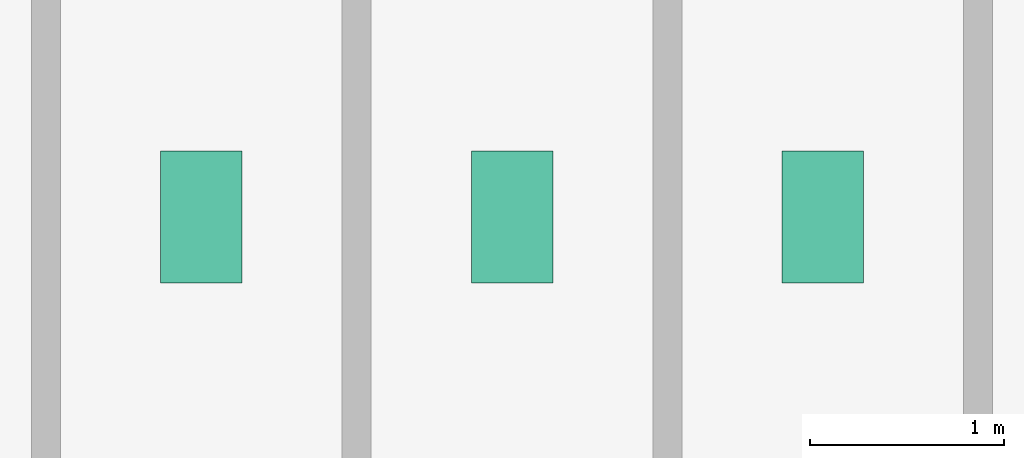
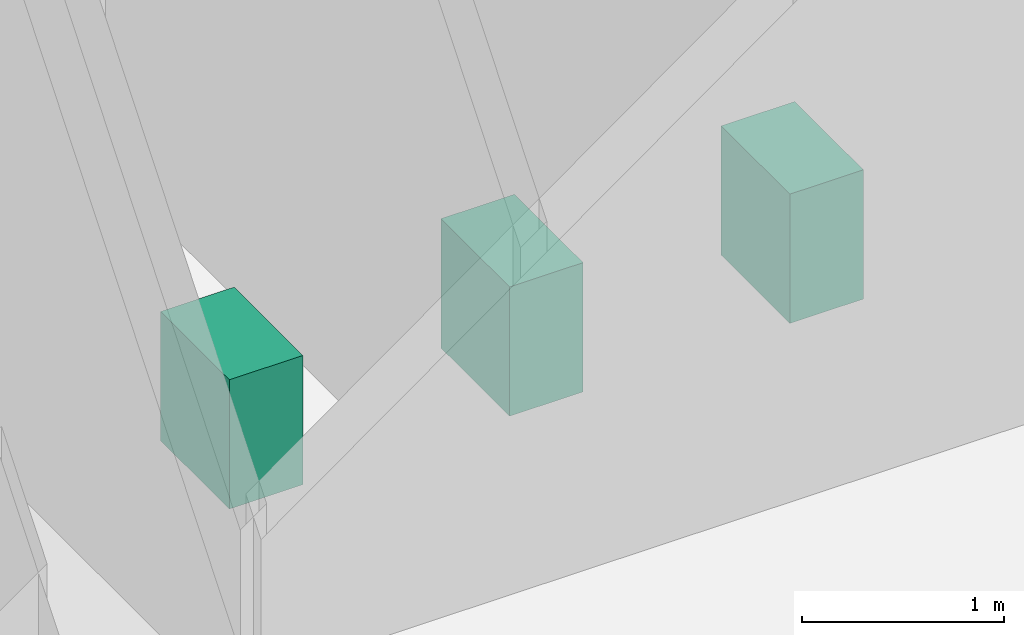
# One storey, part 25 of 25: 3 sanitary terminals.
"""IFC4 building model written with IfcOpenShell, lengths in metres."""

import ifcopenshell
import ifcopenshell.guid

model = None  # the IFC model being written
_history = None  # IfcOwnerHistory: only IFC2X3 demands one
_inside = {}  # id of a spatial element -> (the spatial element, [elements in it])
_under = {}  # id of a project, library or spatial element -> (it, [spatial elements below it])
_declared = {}  # id of a project -> (the project, [libraries it declares])
_typed = {}  # id of a type object -> (the type object, [elements of that type])
_made_of = {}  # id of a material, layer set ... -> (it, [elements and type objects made of it])


def new_model(schema):
    """Start an empty IFC model of exactly this schema.

    Asked for "IFC4X3", IfcOpenShell would pick the latest addendum, in which some entities
    have other attributes; the version numbers below select the first issue.
    IFC2X3 requires an IfcOwnerHistory on every rooted entity: one is made here for all.
    """
    global model, _history
    if schema == "IFC4X3":
        model = ifcopenshell.file(schema_version=(4, 3, 0, 0))
    else:
        model = ifcopenshell.file(schema=schema)
    _inside.clear()
    _under.clear()
    _declared.clear()
    _typed.clear()
    _made_of.clear()
    _history = None
    if model.schema == "IFC2X3":
        org = make("IfcOrganization", Name="unknown")
        user = make(
            "IfcPersonAndOrganization",
            ThePerson=make("IfcPerson", FamilyName="unknown"),
            TheOrganization=org,
        )
        app = make(
            "IfcApplication",
            ApplicationDeveloper=org,
            Version="unknown",
            ApplicationFullName="unknown",
            ApplicationIdentifier="unknown",
        )
        _history = make(
            "IfcOwnerHistory",
            OwningUser=user,
            OwningApplication=app,
            ChangeAction="ADDED",
            CreationDate=0,
        )
    return model


def make(cls, **values):
    """One entity of the class cls with the attributes given. An attribute that is None is left unset."""
    return model.create_entity(
        cls, **{name: value for name, value in values.items() if value is not None}
    )


def rooted(cls, **values):
    """An entity with a GlobalId (a new one), such as an element, a storey or a relation."""
    return make(cls, GlobalId=ifcopenshell.guid.new(), OwnerHistory=_history, **values)


def si_unit(unit_type, name, prefix=None):
    """IfcSIUnit, for example si_unit("LENGTHUNIT", "METRE", prefix="MILLI")."""
    return make("IfcSIUnit", UnitType=unit_type, Prefix=prefix, Name=name)


def derived_unit(unit_type, elements):
    """IfcDerivedUnit: a product of units, each with its exponent."""
    return make(
        "IfcDerivedUnit",
        Elements=[
            make("IfcDerivedUnitElement", Unit=unit, Exponent=power)
            for unit, power in elements
        ],
        UnitType=unit_type,
    )


def assignment(units):
    """IfcUnitAssignment: the units of a project."""
    return None if units is None else make("IfcUnitAssignment", Units=units)


def point(xyz):
    """IfcCartesianPoint."""
    return None if xyz is None else make("IfcCartesianPoint", Coordinates=xyz)


def direction(xyz):
    """IfcDirection."""
    return None if xyz is None else make("IfcDirection", DirectionRatios=xyz)


def frame(location, z_axis=None, x_axis=None):
    """IfcAxis2Placement3D, a coordinate frame: its origin and axes. An axis left out is left unset."""
    return make(
        "IfcAxis2Placement3D",
        Location=point(location),
        Axis=direction(z_axis),
        RefDirection=direction(x_axis),
    )


def frame_2d(location, x_axis=None):
    """IfcAxis2Placement2D, a coordinate frame in the plane: its origin and x axis."""
    return make(
        "IfcAxis2Placement2D", Location=point(location), RefDirection=direction(x_axis)
    )


def origin():
    """The frame at (0, 0, 0) with its axes left unset."""
    return frame((0.0, 0.0, 0.0))


def origin_2d():
    """The frame at (0, 0) in the plane with its x axis left unset."""
    return frame_2d((0.0, 0.0))


def place(relative_to, where):
    """IfcLocalPlacement: puts the frame where relative to a parent placement (None: the world)."""
    return make(
        "IfcLocalPlacement", PlacementRelTo=relative_to, RelativePlacement=where
    )


def context(
    kind, dimensions, precision=None, world=None, true_north=None, identifier=None
):
    """IfcGeometricRepresentationContext, for example the 3D "Model" context."""
    return make(
        "IfcGeometricRepresentationContext",
        ContextIdentifier=identifier,
        ContextType=kind,
        CoordinateSpaceDimension=dimensions,
        Precision=precision,
        WorldCoordinateSystem=world,
        TrueNorth=true_north,
    )


def subcontext(parent, identifier, kind, view, scale=None):
    """IfcGeometricRepresentationSubContext, for example "Body" below "Model"."""
    return make(
        "IfcGeometricRepresentationSubContext",
        ContextIdentifier=identifier,
        ContextType=kind,
        ParentContext=parent,
        TargetScale=scale,
        TargetView=view,
    )


def project(units=None, contexts=None):
    """IfcProject with its units and contexts."""
    return rooted(
        "IfcProject",
        Name="project",
        RepresentationContexts=contexts,
        UnitsInContext=assignment(units),
    )


def spatial(cls, under=None, at=None, **own):
    """A site, building, storey or space (cls), placed at a placement, below another one or the project."""
    s = rooted(cls, ObjectPlacement=at, **own)
    if under is not None:
        _under.setdefault(under.id(), (under, []))[1].append(s)
    return s


def profile(cls, at=None, kind="AREA", **sizes):
    """A parametric profile (cls). Its sizes go by their IFC names, for example OverallWidth=200.0."""
    return make(cls, ProfileType=kind, Position=at, **sizes)


def rectangle(**sizes):
    """IfcRectangleProfileDef."""
    return profile("IfcRectangleProfileDef", **sizes)


def extrude(swept, where, along, depth):
    """IfcExtrudedAreaSolid: the profile swept, set in the frame where, extruded along a direction by depth."""
    return make(
        "IfcExtrudedAreaSolid",
        SweptArea=swept,
        Position=where,
        ExtrudedDirection=direction(along),
        Depth=depth,
    )


def shape(context_of_items, identifier, shape_type, items):
    """IfcShapeRepresentation: the items that make up one representation, for example the "Body"."""
    return make(
        "IfcShapeRepresentation",
        ContextOfItems=context_of_items,
        RepresentationIdentifier=identifier,
        RepresentationType=shape_type,
        Items=items,
    )


def source(mapping_origin, context_of_items, identifier, shape_type, items):
    """IfcRepresentationMap: a shape defined once, which mapped items show again and again."""
    return make(
        "IfcRepresentationMap",
        MappingOrigin=mapping_origin,
        MappedRepresentation=shape(context_of_items, identifier, shape_type, items),
    )


def transform(
    local_origin,
    x_axis=None,
    y_axis=None,
    z_axis=None,
    scale=None,
    scale2=None,
    scale3=None,
    uniform=True,
):
    """IfcCartesianTransformationOperator3D, or its non-uniform kind. x_axis, y_axis, z_axis: its Axis1, 2, 3."""
    if uniform:
        return make(
            "IfcCartesianTransformationOperator3D",
            Axis1=direction(x_axis),
            Axis2=direction(y_axis),
            LocalOrigin=point(local_origin),
            Scale=scale,
            Axis3=direction(z_axis),
        )
    return make(
        "IfcCartesianTransformationOperator3DnonUniform",
        Axis1=direction(x_axis),
        Axis2=direction(y_axis),
        LocalOrigin=point(local_origin),
        Scale=scale,
        Axis3=direction(z_axis),
        Scale2=scale2,
        Scale3=scale3,
    )


def mapped(mapping_source, mapping_target):
    """IfcMappedItem: shows the shape of a source again, moved by a transform."""
    return make(
        "IfcMappedItem", MappingSource=mapping_source, MappingTarget=mapping_target
    )


def material(Name=None, Category=None):
    """IfcMaterial."""
    return make("IfcMaterial", Name=Name, Category=Category)


def made_of(thing, what):
    """Note that an element or type object is made of a material, layer set ...; save() writes the relation."""
    if what is not None:
        _made_of.setdefault(what.id(), (what, []))[1].append(thing)
    return thing


def type_object(cls, material=None, **own):
    """A type object (cls), such as IfcWallType, which elements share."""
    return made_of(rooted(cls, **own), material)


def element(
    cls,
    number,
    at=None,
    inside=None,
    cuts=None,
    type_object=None,
    material=None,
    context=None,
    identifier="Body",
    shape_type=None,
    held_by="IfcProductDefinitionShape",
    body=None,
    shapes=None,
    **own,
):
    """One element of the class cls, such as IfcWall. Its Tag is "e" and its number.

    at: its placement. inside: the storey or other place that contains it. cuts: it is an
    opening in that element (IfcRelVoidsElement). A single representation is given by context,
    identifier, shape_type and body (its items); several are given by shapes. held_by: the class
    of the entity that holds the representations. save() writes the other relations.
    """
    e = rooted(cls, Tag="e%d" % number, ObjectPlacement=at, **own)
    if body is not None:
        shapes = [shape(context, identifier, shape_type, body)]
    if shapes is not None:
        e.Representation = make(held_by, Representations=shapes)
    if inside is not None:
        _inside.setdefault(inside.id(), (inside, []))[1].append(e)
    if cuts is not None:
        rooted(
            "IfcRelVoidsElement", RelatingBuildingElement=cuts, RelatedOpeningElement=e
        )
    if type_object is not None:
        _typed.setdefault(type_object.id(), (type_object, []))[1].append(e)
    return made_of(e, material)


def aggregate(whole, parts):
    """IfcRelAggregates: a whole, such as a stair, and the parts it consists of."""
    return rooted("IfcRelAggregates", RelatingObject=whole, RelatedObjects=parts)


def save(model, path):
    """Write the relations noted so far, then the file.

    IfcRelAggregates (storeys below a building ...), IfcRelContainedInSpatialStructure (elements
    in a storey), IfcRelDefinesByType, IfcRelAssociatesMaterial and IfcRelDeclares: one each for
    every whole, place, type object, material and project.
    """
    for whole, parts in _under.values():
        aggregate(whole, parts)
    for where, things in _inside.values():
        rooted(
            "IfcRelContainedInSpatialStructure",
            RelatedElements=things,
            RelatingStructure=where,
        )
    for kind, things in _typed.values():
        rooted("IfcRelDefinesByType", RelatedObjects=things, RelatingType=kind)
    for what, things in _made_of.values():
        rooted("IfcRelAssociatesMaterial", RelatedObjects=things, RelatingMaterial=what)
    for by, libraries in _declared.values():
        rooted("IfcRelDeclares", RelatingContext=by, RelatedDefinitions=libraries)
    model.write(path)


model = new_model("IFC4")

# Units and contexts
model_context = context("Model", 3, precision=1e-05, world=origin(), true_north=direction((0.0, 1.0)))
body_context = subcontext(model_context, "Body", "Model", "MODEL_VIEW")
ifc_project = project(units=[si_unit("LENGTHUNIT", "METRE"), si_unit("AREAUNIT", "SQUARE_METRE"), si_unit("VOLUMEUNIT", "CUBIC_METRE"), si_unit("PLANEANGLEUNIT", "RADIAN"), si_unit("MASSUNIT", "GRAM", prefix="KILO"), derived_unit("THERMALTRANSMITTANCEUNIT", [(si_unit("POWERUNIT", "WATT"), 1), (si_unit("LENGTHUNIT", "METRE"), -2), (si_unit("THERMODYNAMICTEMPERATUREUNIT", "KELVIN"), -1)])], contexts=[model_context])

# Site, building, storey
site_placement = place(None, origin())
site = spatial("IfcSite", under=ifc_project, at=site_placement, CompositionType="ELEMENT")
building_placement = place(site_placement, origin())
building = spatial("IfcBuilding", under=site, at=building_placement, Name="Skarnbrae Concourse Arena and Tower", CompositionType="ELEMENT")
storey_placement = place(building_placement, frame((0.0, 0.0, 169.800048828125)))
storey = spatial("IfcBuildingStorey", under=building, at=storey_placement, Name="L43", CompositionType="ELEMENT", Elevation=169.800048828125)

# Sanitary terminals
ifc_material = material(Name="Vitreous china sanitaryware", Category="other")
sanitary_terminal_type = type_object("IfcSanitaryTerminalType", Name="SAN-WC-VITREOUS", PredefinedType="TOILETPAN", material=ifc_material)
shared_shape = source(origin(), body_context, "Body", "SweptSolid", [
    extrude(rectangle(XDim=0.419921875, YDim=0.679931640625, at=origin_2d()), origin(), (0.0, 0.0, 1.0), 0.780029296875),
])
for number, where, z_axis, x_axis, name in (
    (1, (35.0, 11.39990234375, 0.0), (0.0, 0.0, 1.0), (1.0, 0.0, 0.0), "L43 Washroom WC fixture 1"),
    (2, (36.60009765625, 11.39990234375, 0.0), (0.0, 0.0, 1.0), (1.0, 0.0, 0.0), "L43 Washroom WC fixture 2"),
    (3, (38.199951171875, 11.39990234375, 0.0), (0.0, 0.0, 1.0), (1.0, 0.0, 0.0), "L43 Washroom WC fixture 3"),
):
    element("IfcSanitaryTerminal", number, at=place(storey_placement, frame(where, z_axis=z_axis, x_axis=x_axis)), inside=storey, type_object=sanitary_terminal_type, Name=name, PredefinedType="TOILETPAN", context=body_context, shape_type="MappedRepresentation", body=[
        mapped(shared_shape, transform((0.0, 0.0, 0.0))),
    ])

save(model, "model.ifc")
